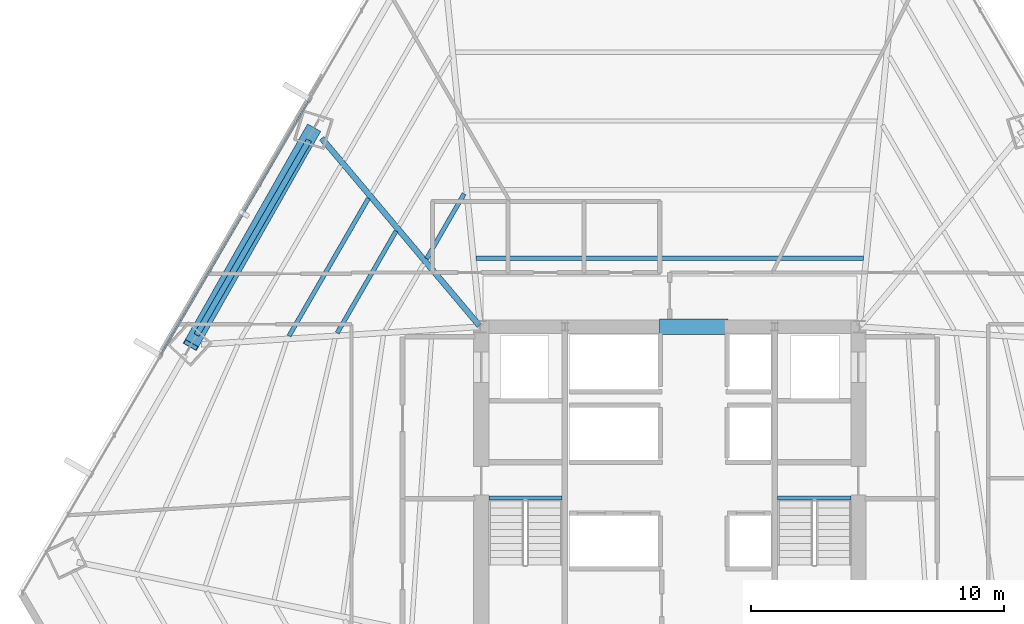
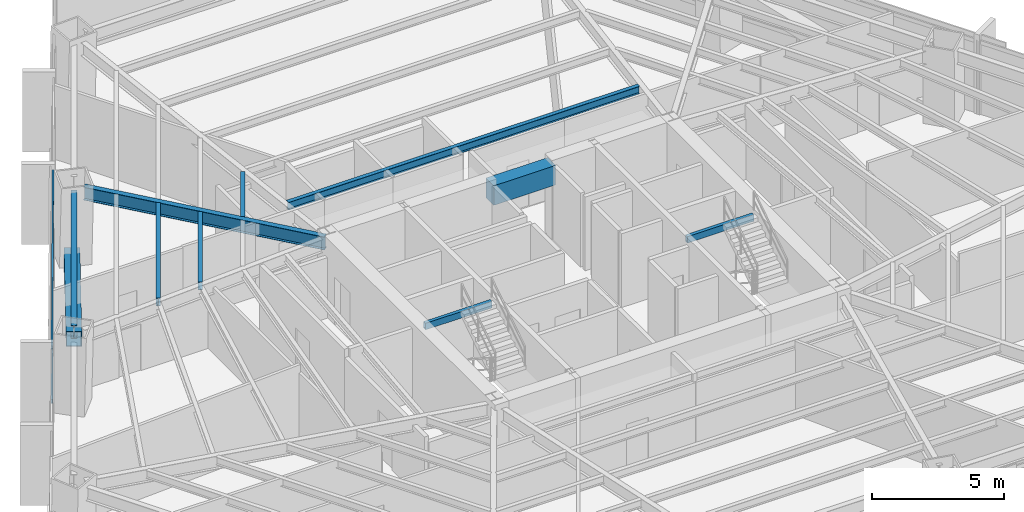
# One storey, part 11 of 29: 9 beams, 3 members, 1 element without a shape of its own.
"""IFC4 building model written with IfcOpenShell, lengths in metres."""

from ifc_helpers import new_model, si_unit, direction, frame, origin, origin_2d, place, context, subcontext, project, spatial, rectangle, hollow_rectangle, i_section, extrude, source, transform, mapped, material, material_profile, profile_set, type_object, type_shapes, element, aggregate, save


model = new_model("IFC4")

# Units and contexts
model_context = context("Model", 3, precision=1e-05, world=origin(), true_north=direction((0.0, 1.0)))
body_context = subcontext(model_context, "Body", "Model", "MODEL_VIEW")
ifc_project = project(units=[si_unit("LENGTHUNIT", "METRE"), si_unit("AREAUNIT", "SQUARE_METRE"), si_unit("VOLUMEUNIT", "CUBIC_METRE"), si_unit("PLANEANGLEUNIT", "RADIAN"), si_unit("MASSUNIT", "GRAM", prefix="KILO")], contexts=[model_context])

# Site, building, storey
site_placement = place(None, origin())
site = spatial("IfcSite", under=ifc_project, at=site_placement, CompositionType="ELEMENT")
building_placement = place(site_placement, origin())
building = spatial("IfcBuilding", under=site, at=building_placement, Name="Caelisora Broadcast Tower", CompositionType="ELEMENT")
storey_placement = place(building_placement, frame((0.0, 0.0, 31.25)))
storey = spatial("IfcBuildingStorey", under=building, at=storey_placement, Name="L07", CompositionType="ELEMENT", Elevation=31.25)

# Beams
ifc_material_1 = material(Name="Steel Grade 350 (AS/NZS 1163 C350L0)", Category="steel")
ifc_material_profile_1 = material_profile(ifc_material_1, hollow_rectangle(XDim=0.14990234375, YDim=0.300048828125, WallThickness=0.010009765625, at=origin_2d()), Name="Steel Grade 350 (AS/NZS 1163 C350L0)")
ifc_profile_set_1 = profile_set([ifc_material_profile_1], Name="Steel Grade 350 (AS/NZS 1163 C350L0)")
beam_type_1 = type_object("IfcBeamType", Name="SB05", PredefinedType="JOIST", material=ifc_profile_set_1)
shared_shape_1 = source(origin(), body_context, "Body", "SweptSolid", [
    extrude(hollow_rectangle(XDim=0.14990234375, YDim=0.300048828125, WallThickness=0.010009765625, at=origin_2d()), origin(), (0.0, 0.0, 1.0), 2.89990234375),
])
type_shapes(beam_type_1, [shared_shape_1])
for number, where, z_axis, x_axis, name in (
    (1, (30.840087890625, 23.219970703125, 3.25), (1.0, 0.0, 0.0), (0.0, 1.0, 0.0), "L07 beam SB05"),
    (2, (42.260009765625, 23.219970703125, 3.25), (1.0, 0.0, 0.0), (0.0, 1.0, 0.0), "L07 beam SB05"),
):
    element("IfcBeam", number, at=place(storey_placement, frame(where, z_axis=z_axis, x_axis=x_axis)), inside=storey, type_object=beam_type_1, Name=name, PredefinedType="JOIST", context=body_context, shape_type="MappedRepresentation", body=[
        mapped(shared_shape_1, transform((0.0, 0.0, 0.0), scale=1.0)),
    ])
ifc_material_2 = material(Name="Concrete 50 MPa (AS 3600 S50)", Category="concrete")
ifc_material_profile_2 = material_profile(ifc_material_2, rectangle(XDim=0.60009765625, YDim=0.89990234375, at=origin_2d()), Name="Concrete 50 MPa (AS 3600 S50)")
ifc_profile_set_2 = profile_set([ifc_material_profile_2], Name="Concrete 50 MPa (AS 3600 S50)")
beam_type_2 = type_object("IfcBeamType", Name="CB02", PredefinedType="LINTEL", material=ifc_profile_set_2)
shared_shape_2 = source(origin(), body_context, "Body", "SweptSolid", [
    extrude(rectangle(XDim=0.60009765625, YDim=0.89990234375, at=origin_2d()), origin(), (0.0, 0.0, 1.0), 2.699951171875),
])
type_shapes(beam_type_2, [shared_shape_2])
beam_1_placement = place(storey_placement, frame((37.60009765625, 30.0, 2.949951171875), z_axis=(1.0, 0.0, 0.0), x_axis=(0.0, 1.0, 0.0)))
element("IfcBeam", 3, at=beam_1_placement, inside=storey, type_object=beam_type_2, Name="L07 beam CB02", PredefinedType="LINTEL", context=body_context, shape_type="MappedRepresentation", body=[
    mapped(shared_shape_2, transform((0.0, 0.0, 0.0), scale=1.0)),
])
ifc_material_3 = material(Name="Steel Grade 350 (AS/NZS 3679.1)", Category="steel")
ifc_material_profile_3 = material_profile(ifc_material_3, i_section(OverallWidth=0.22900390625, OverallDepth=0.611572265625, WebThickness=0.011962890625, FlangeThickness=0.01953125, at=origin_2d()), Name="Steel Grade 350 (AS/NZS 3679.1)")
ifc_profile_set_3 = profile_set([ifc_material_profile_3], Name="Steel Grade 350 (AS/NZS 3679.1)")
beam_type_3 = type_object("IfcBeamType", Name="PG03", PredefinedType="BEAM", material=ifc_profile_set_3)
shared_shape_3 = source(origin(), body_context, "Body", "SweptSolid", [
    extrude(i_section(OverallWidth=0.22900390625, OverallDepth=0.611572265625, WebThickness=0.011962890625, FlangeThickness=0.01953125, at=origin_2d()), origin(), (0.0, 0.0, 1.0), 8.900390625),
])
type_shapes(beam_type_3, [shared_shape_3])
beam_2_placement = place(storey_placement, frame((23.72265625, 37.381591796875, 3.09423828125), z_axis=(-0.49999788721, -0.866026623601, 0.0), x_axis=(0.866026623601, -0.49999788721, 0.0)))
element("IfcBeam", 4, at=beam_2_placement, inside=storey, type_object=beam_type_3, Name="L07 beam PG03", PredefinedType="BEAM", context=body_context, shape_type="MappedRepresentation", body=[
    mapped(shared_shape_3, transform((0.0, 0.0, 0.0), scale=1.0)),
])
ifc_material_profile_4 = material_profile(ifc_material_3, i_section(OverallWidth=0.22802734375, OverallDepth=0.602294921875, WebThickness=0.010498046875, FlangeThickness=0.014892578125, at=origin_2d()), Name="Steel Grade 350 (AS/NZS 3679.1)")
ifc_profile_set_4 = profile_set([ifc_material_profile_4], Name="Steel Grade 350 (AS/NZS 3679.1)")
beam_type_4 = type_object("IfcBeamType", Name="PG04", PredefinedType="BEAM", material=ifc_profile_set_4)
shared_shape_4 = source(origin(), body_context, "Body", "SweptSolid", [
    extrude(i_section(OverallWidth=0.22802734375, OverallDepth=0.602294921875, WebThickness=0.010498046875, FlangeThickness=0.014892578125, at=origin_2d()), origin(), (0.0, 0.0, 1.0), 9.688720703125),
])
type_shapes(beam_type_4, [shared_shape_4])
beam_3_placement = place(storey_placement, frame((30.46142578125, 30.0458984375, 3.098876953125), z_axis=(-0.643902147985, 0.765107851104, 0.0), x_axis=(-0.765107851104, -0.643902147985, 0.0)))
element("IfcBeam", 5, at=beam_3_placement, inside=storey, type_object=beam_type_4, Name="L07 beam PG04", PredefinedType="BEAM", context=body_context, shape_type="MappedRepresentation", body=[
    mapped(shared_shape_4, transform((0.0, 0.0, 0.0), scale=1.0)),
])
ifc_material_profile_5 = material_profile(ifc_material_3, i_section(OverallWidth=0.172119140625, OverallDepth=0.358642578125, WebThickness=0.008056640625, FlangeThickness=0.012939453125, at=origin_2d()), Name="Steel Grade 350 (AS/NZS 3679.1)")
ifc_profile_set_5 = profile_set([ifc_material_profile_5], Name="Steel Grade 350 (AS/NZS 3679.1)")
beam_type_5 = type_object("IfcBeamType", Name="SB02", PredefinedType="JOIST", material=ifc_profile_set_5)
shared_shape_5 = source(origin(), body_context, "Body", "SweptSolid", [
    extrude(i_section(OverallWidth=0.172119140625, OverallDepth=0.358642578125, WebThickness=0.008056640625, FlangeThickness=0.012939453125, at=origin_2d()), origin(), (0.0, 0.0, 1.0), 15.322265625),
])
beam_4_placement = place(storey_placement, frame((45.6611328125, 32.714111328125, 3.220703125), z_axis=(-1.0, 0.0, 0.0), x_axis=(0.0, -1.0, 0.0)))
element("IfcBeam", 6, at=beam_4_placement, inside=storey, type_object=beam_type_5, Name="L07 beam SB02", PredefinedType="JOIST", context=body_context, shape_type="MappedRepresentation", body=[
    mapped(shared_shape_5, transform((0.0, 0.0, 0.0), scale=1.0)),
])
shared_shape_6 = source(origin(), body_context, "Body", "SweptSolid", [
    extrude(i_section(OverallWidth=0.172119140625, OverallDepth=0.358642578125, WebThickness=0.008056640625, FlangeThickness=0.012939453125, at=origin_2d()), origin(), (0.0, 0.0, 1.0), 2.962890625),
])
beam_5_placement = place(storey_placement, frame((29.858154296875, 35.26171875, 3.220703125), z_axis=(-0.500003007852, -0.866023667193, 0.0), x_axis=(0.866023667193, -0.500003007852, 0.0)))
element("IfcBeam", 7, at=beam_5_placement, inside=storey, type_object=beam_type_5, Name="L07 beam SB02", PredefinedType="JOIST", context=body_context, shape_type="MappedRepresentation", body=[
    mapped(shared_shape_6, transform((0.0, 0.0, 0.0), scale=1.0)),
])
shared_shape_7 = source(origin(), body_context, "Body", "SweptSolid", [
    extrude(i_section(OverallWidth=0.172119140625, OverallDepth=0.358642578125, WebThickness=0.008056640625, FlangeThickness=0.012939453125, at=origin_2d()), origin(), (0.0, 0.0, 1.0), 4.657958984375),
])
beam_6_placement = place(storey_placement, frame((27.167236328125, 33.78759765625, 3.220703125), z_axis=(-0.500017355147, -0.866015383554, 0.0), x_axis=(0.866015383554, -0.500017355147, 0.0)))
element("IfcBeam", 8, at=beam_6_placement, inside=storey, type_object=beam_type_5, Name="L07 beam SB02", PredefinedType="JOIST", context=body_context, shape_type="MappedRepresentation", body=[
    mapped(shared_shape_7, transform((0.0, 0.0, 0.0), scale=1.0)),
])
shared_shape_8 = source(origin(), body_context, "Body", "SweptSolid", [
    extrude(i_section(OverallWidth=0.172119140625, OverallDepth=0.358642578125, WebThickness=0.008056640625, FlangeThickness=0.012939453125, at=origin_2d()), origin(), (0.0, 0.0, 1.0), 6.294677734375),
])
type_shapes(beam_type_5, [shared_shape_5, shared_shape_6, shared_shape_7, shared_shape_8])
beam_7_placement = place(storey_placement, frame((26.075927734375, 35.084228515625, 3.220703125), z_axis=(-0.500010059874, -0.866019595635, 0.0), x_axis=(0.866019595635, -0.500010059874, 0.0)))
element("IfcBeam", 9, at=beam_7_placement, inside=storey, type_object=beam_type_5, Name="L07 beam SB02", PredefinedType="JOIST", context=body_context, shape_type="MappedRepresentation", body=[
    mapped(shared_shape_8, transform((0.0, 0.0, 0.0), scale=1.0)),
])

# Member
ifc_material_4 = material(Name="Steel Grade 450 L15 (AS/NZS 3678)", Category="steel")
ifc_material_profile_6 = material_profile(ifc_material_4, hollow_rectangle(XDim=0.60009765625, YDim=0.60009765625, WallThickness=0.02490234375, at=origin_2d()), Name="Steel Grade 450 L15 (AS/NZS 3678)")
ifc_profile_set_6 = profile_set([ifc_material_profile_6], Name="Steel Grade 450 L15 (AS/NZS 3678)")
member_type_1 = type_object("IfcMemberType", Name="BR01", PredefinedType="BRACE", material=ifc_profile_set_6)
shared_shape_9 = source(origin(), body_context, "Body", "SweptSolid", [
    extrude(hollow_rectangle(XDim=0.60009765625, YDim=0.60009765625, WallThickness=0.02490234375, at=origin_2d()), origin(), (0.0, 0.0, 1.0), 10.2529296875),
])
type_shapes(member_type_1, [shared_shape_9])
member_1_placement = place(storey_placement, frame((23.8818359375, 37.802001953125, 0.10009765625), z_axis=(-0.471997568989, -0.831627237259, 0.292599441416), x_axis=(0.86968909327, -0.493599920023, 0.0)))
element("IfcMember", 10, at=member_1_placement, inside=storey, type_object=member_type_1, Name="L07 perimeter brace BR01", PredefinedType="BRACE", context=body_context, shape_type="MappedRepresentation", body=[
    mapped(shared_shape_9, transform((0.0, 0.0, 0.0), scale=1.0)),
])

# Curtain wall, members
ifc_material_5 = material(Name="Unitised Aluminium Insulated Shadow-Box Spandrel Curtain Wall", Category="aluminium")
curtain_wall_type = type_object("IfcCurtainWallType", Name="CW-SP1", PredefinedType="NOTDEFINED", material=ifc_material_5)
curtain_wall_placement = place(storey_placement, origin())
curtain_wall = element("IfcCurtainWall", 11, at=curtain_wall_placement, inside=storey, type_object=curtain_wall_type, Name="L07 curtain wall CW-SP1", PredefinedType="NOTDEFINED")
ifc_material_6 = material(Name="Aluminium 6063-T6 Anodised Terracotta Bronze", Category="aluminium")
ifc_material_profile_7 = material_profile(ifc_material_6, hollow_rectangle(XDim=0.06494140625, YDim=0.179931640625, WallThickness=0.00341796875, at=origin_2d()), Name="Aluminium 6063-T6 Anodised Terracotta Bronze")
ifc_profile_set_7 = profile_set([ifc_material_profile_7], Name="Aluminium 6063-T6 Anodised Terracotta Bronze")
member_type_2 = type_object("IfcMemberType", Name="CWT-01", PredefinedType="USERDEFINED", material=ifc_profile_set_7)
shared_shape_10 = source(origin(), body_context, "Body", "SweptSolid", [
    extrude(hollow_rectangle(XDim=0.06494140625, YDim=0.179931640625, WallThickness=0.00341796875, at=origin_2d()), origin(), (0.0, 0.0, 1.0), 11.62744140625),
])
type_shapes(member_type_2, [shared_shape_10])
member_2_placement = place(storey_placement, frame((17.874755859375, 28.909423828125, 0.85009765625), z_axis=(0.503258610301, 0.864135852258, 0.0), x_axis=(-0.864135852258, 0.503258610301, 0.0)))
member_2 = element("IfcMember", 12, at=member_2_placement, type_object=member_type_2, Name="L07-CW-B10 transom #1", ObjectType="TRANSOM", PredefinedType="USERDEFINED", context=body_context, shape_type="MappedRepresentation", body=[
    mapped(shared_shape_10, transform((0.0, 0.0, 0.0), scale=1.0)),
])
member_3_placement = place(storey_placement, frame((17.874755859375, 28.909423828125, 3.320068359375), z_axis=(0.503258610301, 0.864135852258, 0.0), x_axis=(-0.864135852258, 0.503258610301, 0.0)))
member_3 = element("IfcMember", 13, at=member_3_placement, type_object=member_type_2, Name="L07-CW-B10 transom #2", ObjectType="TRANSOM", PredefinedType="USERDEFINED", context=body_context, shape_type="MappedRepresentation", body=[
    mapped(shared_shape_10, transform((0.0, 0.0, 0.0), scale=1.0)),
])
aggregate(curtain_wall, [member_2, member_3])

save(model, "model.ifc")
